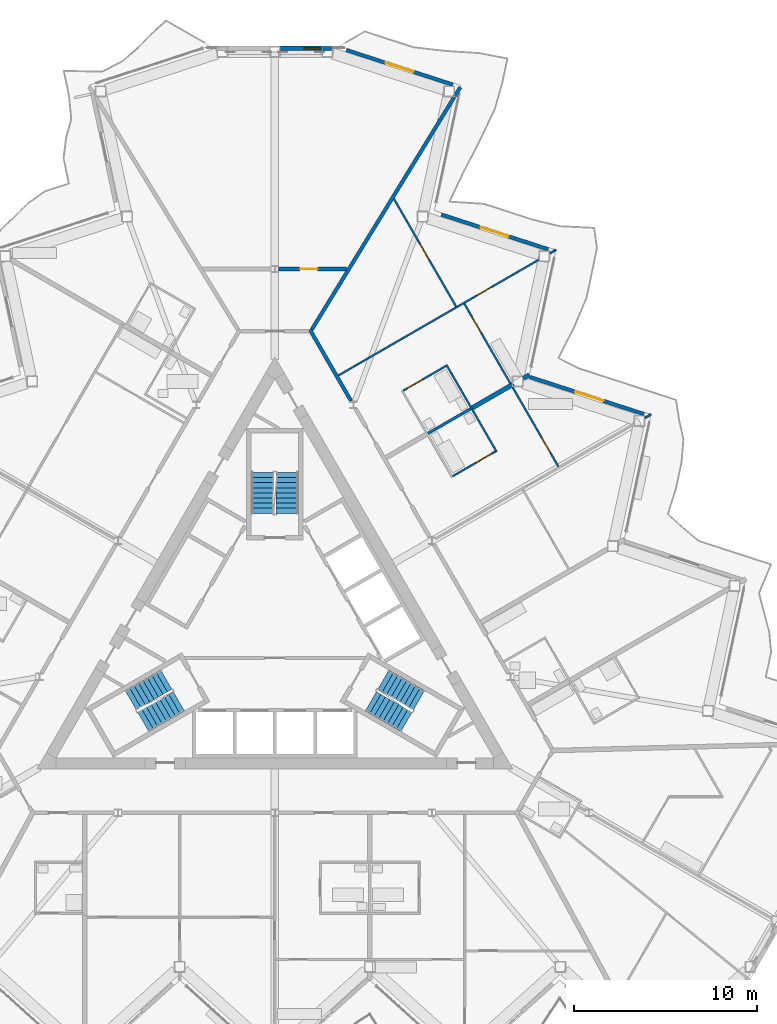
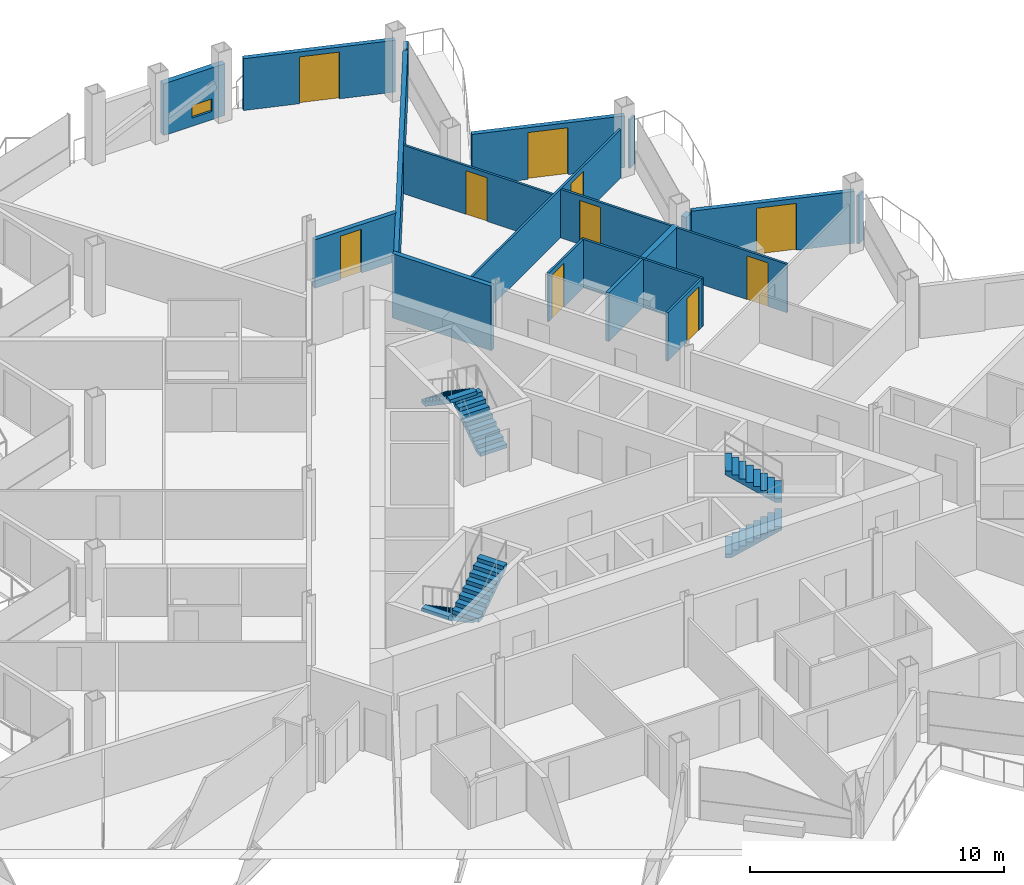
# One storey, part 19 of 28: 20 walls, 10 doors, 6 stair flights, 1 window, 11 openings, 3 elements without a shape of their own.
"""IFC4 building model written with IfcOpenShell, lengths in metres."""

from ifc_helpers import new_model, si_unit, direction, frame, frame_2d, origin, place, context, subcontext, project, spatial, polyline, rectangle, outline, extrude, material, layer, layer_set, type_object, element, fill, aggregate, save


model = new_model("IFC4")

# Units and contexts
model_context = context("Model", 3, precision=1e-05, world=origin(), true_north=direction((0.0, 1.0)))
body_context = subcontext(model_context, "Body", "Model", "MODEL_VIEW")
ifc_project = project(units=[si_unit("LENGTHUNIT", "METRE"), si_unit("AREAUNIT", "SQUARE_METRE"), si_unit("VOLUMEUNIT", "CUBIC_METRE"), si_unit("PLANEANGLEUNIT", "RADIAN"), si_unit("MASSUNIT", "GRAM", prefix="KILO")], contexts=[model_context])

# Site, building, storey
site_placement = place(None, origin())
site = spatial("IfcSite", under=ifc_project, at=site_placement, CompositionType="ELEMENT")
building_placement = place(site_placement, origin())
building = spatial("IfcBuilding", under=site, at=building_placement, Name="Cormorant Prow Tower", CompositionType="ELEMENT")
storey_placement = place(building_placement, frame((0.0, 0.0, 301.800048828125)))
storey = spatial("IfcBuildingStorey", under=building, at=storey_placement, Name="L65", CompositionType="ELEMENT", Elevation=301.800048828125)

# Walls
ifc_material_1 = material(Name="Gypsum board corridor wall")
ifc_layer_1 = layer(ifc_material_1, 0.199951171875)
ifc_layer_set_1 = layer_set([ifc_layer_1], Name="Gypsum board corridor wall")
wall_type_1 = type_object("IfcWallType", Name="Corridor wall 200", PredefinedType="PARTITIONING", material=ifc_layer_set_1)
wall_1_placement = place(storey_placement, frame((1.9130859375, 16.497802734375, 0.0), z_axis=(0.0, 0.0, 1.0), x_axis=(0.499950370306, -0.866054055606, 0.0)))
element("IfcWall", 1, at=wall_1_placement, inside=storey, type_object=wall_type_1, Name="Corridor wall", PredefinedType="PARTITIONING", context=body_context, shape_type="SweptSolid", body=[
    extrude(rectangle(XDim=4.5126953125, YDim=0.199951171875, at=frame_2d((2.25634765625, 0.0))), origin(), (0.0, 0.0, 1.0), 3.099853515625),
])
ifc_material_2 = material(Name="Gypsum board demising wall")
ifc_layer_2 = layer(ifc_material_2, 0.199951171875)
ifc_layer_set_2 = layer_set([ifc_layer_2], Name="Gypsum board demising wall")
wall_type_2 = type_object("IfcWallType", Name="Demising wall 200", PredefinedType="PARTITIONING", material=ifc_layer_set_2)
wall_2_placement = place(storey_placement, frame((2.015380859375, 16.496337890625, 0.0), z_axis=(0.0, 0.0, 1.0), x_axis=(0.522487920222, 0.852646687217, 0.0)))
element("IfcWall", 2, at=wall_2_placement, inside=storey, type_object=wall_type_2, Name="Demising wall", PredefinedType="PARTITIONING", context=body_context, shape_type="SweptSolid", body=[
    extrude(rectangle(XDim=14.90380859375, YDim=0.199951171875, at=frame_2d((7.451904296875, 0.0))), origin(), (0.0, 0.0, 1.0), 2.330078125),
])

# Wall, opening, door
wall_3_placement = place(storey_placement, frame((0.207763671875, 19.81103515625, 0.0), z_axis=(0.0, 0.0, 1.0), x_axis=(1.0, 0.0, 0.0)))
wall_3 = element("IfcWall", 3, at=wall_3_placement, inside=storey, type_object=wall_type_2, Name="Demising wall", PredefinedType="PARTITIONING", context=body_context, shape_type="SweptSolid", body=[
    extrude(rectangle(XDim=3.71826171875, YDim=0.199951171875, at=frame_2d((1.859130859375, 0.0))), origin(), (0.0, 0.0, 1.0), 2.330078125),
])
opening_1_placement = place(wall_3_placement, frame((1.177978515625, 0.0, 0.0)))
opening_1 = element("IfcOpeningElement", 4, at=opening_1_placement, cuts=wall_3, Name="Opening L65-F37", PredefinedType="OPENING", context=body_context, shape_type="SweptSolid", body=[
    extrude(rectangle(XDim=0.949951171875, YDim=2.10009765625, at=frame_2d((0.47509765625, 1.050048828125))), frame((0.0, 0.10986328125, 0.0), z_axis=(0.0, -1.0, 0.0), x_axis=(1.0, 0.0, 0.0)), (0.0, 0.0, 1.0), 0.219970703125),
])
ifc_material_3 = material(Name="Timber door leaf", Category="wood")
door_type_1 = type_object("IfcDoorType", Name="Store door 950x2100", OperationType="NOTDEFINED", PredefinedType="DOOR", material=ifc_material_3)
door_1_placement = place(opening_1_placement, origin())
door_1 = element("IfcDoor", 5, at=door_1_placement, inside=storey, type_object=door_type_1, Name="Refuse room door", OperationType="SINGLE_SWING_LEFT", OverallHeight=2.10009765625, OverallWidth=0.949951171875, PredefinedType="DOOR", context=body_context, shape_type="SweptSolid", body=[
    extrude(rectangle(XDim=0.949951171875, YDim=2.10009765625, at=frame_2d((0.47509765625, 1.050048828125))), frame((0.0, 0.02490234375, 0.0), z_axis=(0.0, -1.0, 0.0), x_axis=(1.0, 0.0, 0.0)), (0.0, 0.0, 1.0), 0.050048828125),
])
fill(opening_1, door_1)

# Wall
wall_4_placement = place(storey_placement, frame((9.83740234375, 29.261474609375, 0.0), z_axis=(0.0, 0.0, 1.0), x_axis=(0.5225115935, 0.852632180168, 0.0)))
element("IfcWall", 6, at=wall_4_placement, inside=storey, type_object=wall_type_2, Name="Demising wall", PredefinedType="PARTITIONING", context=body_context, shape_type="SweptSolid", body=[
    extrude(rectangle(XDim=0.567138671875, YDim=0.199951171875, at=frame_2d((0.28369140625, 0.0))), origin(), (0.0, 0.0, 1.0), 2.330078125),
])

# Wall, opening, door
ifc_material_4 = material(Name="Gypsum board partition")
ifc_layer_3 = layer(ifc_material_4, 0.10009765625)
ifc_layer_set_3 = layer_set([ifc_layer_3], Name="Gypsum board partition")
wall_type_3 = type_object("IfcWallType", Name="Internal partition 100", PredefinedType="PARTITIONING", material=ifc_layer_set_3)
wall_5_placement = place(storey_placement, frame((3.47412109375, 13.993896484375, 0.0), z_axis=(0.0, 0.0, 1.0), x_axis=(0.866032424046, 0.499987840353, 0.0)))
wall_5 = element("IfcWall", 7, at=wall_5_placement, inside=storey, type_object=wall_type_3, Name="Internal partition", PredefinedType="PARTITIONING", context=body_context, shape_type="SweptSolid", body=[
    extrude(rectangle(XDim=12.635009765625, YDim=0.10009765625, at=frame_2d((6.3173828125, 0.0))), origin(), (0.0, 0.0, 1.0), 2.330078125),
])
opening_2_placement = place(wall_5_placement, frame((8.71435546875, 0.0, 0.0)))
opening_2 = element("IfcOpeningElement", 8, at=opening_2_placement, cuts=wall_5, Name="Opening L65-F34", PredefinedType="OPENING", context=body_context, shape_type="SweptSolid", body=[
    extrude(rectangle(XDim=0.949951171875, YDim=2.10009765625, at=frame_2d((0.47509765625, 1.050048828125))), frame((0.0, 0.06005859375, 0.0), z_axis=(0.0, -1.0, 0.0), x_axis=(1.0, 0.0, 0.0)), (0.0, 0.0, 1.0), 0.1201171875),
])
ifc_material_5 = material(Name="Timber door leaf", Category="wood")
door_type_2 = type_object("IfcDoorType", Name="Bathroom door 950x2100", OperationType="NOTDEFINED", PredefinedType="DOOR", material=ifc_material_5)
door_2_placement = place(opening_2_placement, origin())
door_2 = element("IfcDoor", 9, at=door_2_placement, inside=storey, type_object=door_type_2, Name="Kitchen door", OperationType="SINGLE_SWING_LEFT", OverallHeight=2.10009765625, OverallWidth=0.949951171875, PredefinedType="DOOR", context=body_context, shape_type="SweptSolid", body=[
    extrude(rectangle(XDim=0.949951171875, YDim=2.10009765625, at=frame_2d((0.47509765625, 1.050048828125))), frame((0.0, 0.02490234375, 0.0), z_axis=(0.0, -1.0, 0.0), x_axis=(1.0, 0.0, 0.0)), (0.0, 0.0, 1.0), 0.050048828125),
])
fill(opening_2, door_2)

wall_6_placement = place(storey_placement, frame((6.5029296875, 23.651611328125, 0.0), z_axis=(0.0, 0.0, 1.0), x_axis=(0.50002393615, -0.866011583801, 0.0)))
wall_6 = element("IfcWall", 10, at=wall_6_placement, inside=storey, type_object=wall_type_3, Name="Internal partition", PredefinedType="PARTITIONING", context=body_context, shape_type="SweptSolid", body=[
    extrude(rectangle(XDim=6.799560546875, YDim=0.10009765625, at=frame_2d((3.39990234375, 0.0))), origin(), (0.0, 0.0, 1.0), 2.330078125),
])
opening_3_placement = place(wall_6_placement, frame((2.874267578125, 0.0, 0.0)))
opening_3 = element("IfcOpeningElement", 11, at=opening_3_placement, cuts=wall_6, Name="Opening L65-F35", PredefinedType="OPENING", context=body_context, shape_type="SweptSolid", body=[
    extrude(rectangle(XDim=0.949951171875, YDim=2.10009765625, at=frame_2d((0.47509765625, 1.050048828125))), frame((0.0, 0.06005859375, 0.0), z_axis=(0.0, -1.0, 0.0), x_axis=(1.0, 0.0, 0.0)), (0.0, 0.0, 1.0), 0.1201171875),
])
door_3_placement = place(opening_3_placement, origin())
door_3 = element("IfcDoor", 12, at=door_3_placement, inside=storey, type_object=door_type_2, Name="Bedroom door", OperationType="SINGLE_SWING_LEFT", OverallHeight=2.10009765625, OverallWidth=0.949951171875, PredefinedType="DOOR", context=body_context, shape_type="SweptSolid", body=[
    extrude(rectangle(XDim=0.949951171875, YDim=2.10009765625, at=frame_2d((0.47509765625, 1.050048828125))), frame((0.0, 0.02490234375, 0.0), z_axis=(0.0, -1.0, 0.0), x_axis=(1.0, 0.0, 0.0)), (0.0, 0.0, 1.0), 0.050048828125),
])
fill(opening_3, door_3)

# Wall
wall_7_placement = place(storey_placement, frame((9.37109375, 14.579833984375, 0.0), z_axis=(0.0, 0.0, 1.0), x_axis=(0.499996545922, -0.866027397988, 0.0)))
element("IfcWall", 13, at=wall_7_placement, inside=storey, type_object=wall_type_3, Name="Internal partition", PredefinedType="PARTITIONING", context=body_context, shape_type="SweptSolid", body=[
    extrude(rectangle(XDim=5.5, YDim=0.10009765625, at=frame_2d((2.75, 0.0))), origin(), (0.0, 0.0, 1.0), 2.330078125),
])

# Wall, opening, door
wall_8_placement = place(storey_placement, frame((10.35693359375, 17.909912109375, 0.0), z_axis=(0.0, 0.0, 1.0), x_axis=(0.50000754391, -0.866021048262, 0.0)))
wall_8 = element("IfcWall", 14, at=wall_8_placement, inside=storey, type_object=wall_type_3, Name="Internal partition", PredefinedType="PARTITIONING", context=body_context, shape_type="SweptSolid", body=[
    extrude(rectangle(XDim=5.01611328125, YDim=0.10009765625, at=frame_2d((2.508056640625, 0.0))), origin(), (0.0, 0.0, 1.0), 2.330078125),
])
opening_4_placement = place(wall_8_placement, frame((0.861328125, 0.0, 0.0)))
opening_4 = element("IfcOpeningElement", 15, at=opening_4_placement, cuts=wall_8, Name="Opening L65-F33", PredefinedType="OPENING", context=body_context, shape_type="SweptSolid", body=[
    extrude(rectangle(XDim=0.949951171875, YDim=2.10009765625, at=frame_2d((0.47509765625, 1.050048828125))), frame((0.0, 0.06005859375, 0.0), z_axis=(0.0, -1.0, 0.0), x_axis=(1.0, 0.0, 0.0)), (0.0, 0.0, 1.0), 0.1201171875),
])
door_4_placement = place(opening_4_placement, origin())
door_4 = element("IfcDoor", 16, at=door_4_placement, inside=storey, type_object=door_type_2, Name="Living room door", OperationType="SINGLE_SWING_LEFT", OverallHeight=2.10009765625, OverallWidth=0.949951171875, PredefinedType="DOOR", context=body_context, shape_type="SweptSolid", body=[
    extrude(rectangle(XDim=0.949951171875, YDim=2.10009765625, at=frame_2d((0.47509765625, 1.050048828125))), frame((0.0, 0.02490234375, 0.0), z_axis=(0.0, -1.0, 0.0), x_axis=(1.0, 0.0, 0.0)), (0.0, 0.0, 1.0), 0.050048828125),
])
fill(opening_4, door_4)

wall_9_placement = place(storey_placement, frame((12.986083984375, 13.35595703125, 0.0), z_axis=(0.0, 0.0, 1.0), x_axis=(0.500007128048, -0.866021288365, 0.0)))
wall_9 = element("IfcWall", 17, at=wall_9_placement, inside=storey, type_object=wall_type_3, Name="Internal partition", PredefinedType="PARTITIONING", context=body_context, shape_type="SweptSolid", body=[
    extrude(rectangle(XDim=5.0234375, YDim=0.10009765625, at=frame_2d((2.51171875, 0.0))), origin(), (0.0, 0.0, 1.0), 2.330078125),
])
opening_5_placement = place(wall_9_placement, frame((3.2109375, 0.0, 0.0)))
opening_5 = element("IfcOpeningElement", 18, at=opening_5_placement, cuts=wall_9, Name="Opening L65-F28", PredefinedType="OPENING", context=body_context, shape_type="SweptSolid", body=[
    extrude(rectangle(XDim=0.949951171875, YDim=2.10009765625, at=frame_2d((0.47509765625, 1.050048828125))), frame((0.0, 0.06005859375, 0.0), z_axis=(0.0, -1.0, 0.0), x_axis=(1.0, 0.0, 0.0)), (0.0, 0.0, 1.0), 0.1201171875),
])
door_5_placement = place(opening_5_placement, origin())
door_5 = element("IfcDoor", 19, at=door_5_placement, inside=storey, type_object=door_type_2, Name="Living room door", OperationType="SINGLE_SWING_RIGHT", OverallHeight=2.10009765625, OverallWidth=0.949951171875, PredefinedType="DOOR", context=body_context, shape_type="SweptSolid", body=[
    extrude(rectangle(XDim=0.949951171875, YDim=2.10009765625, at=frame_2d((0.47509765625, 1.050048828125))), frame((0.0, 0.02490234375, 0.0), z_axis=(0.0, -1.0, 0.0), x_axis=(1.0, 0.0, 0.0)), (0.0, 0.0, 1.0), 0.050048828125),
])
fill(opening_5, door_5)

wall_10_placement = place(storey_placement, frame((7.0146484375, 13.16162109375, 0.0), z_axis=(0.0, 0.0, 1.0), x_axis=(0.866036505625, 0.499980770555, 0.0)))
wall_10 = element("IfcWall", 20, at=wall_10_placement, inside=storey, type_object=wall_type_3, Name="Internal partition", PredefinedType="PARTITIONING", context=body_context, shape_type="SweptSolid", body=[
    extrude(rectangle(XDim=2.69970703125, YDim=0.10009765625, at=frame_2d((1.349853515625, 0.0))), origin(), (0.0, 0.0, 1.0), 2.330078125),
])
opening_6_placement = place(wall_10_placement, frame((0.25, 0.0, 0.0)))
opening_6 = element("IfcOpeningElement", 21, at=opening_6_placement, cuts=wall_10, Name="Opening L65-F32", PredefinedType="OPENING", context=body_context, shape_type="SweptSolid", body=[
    extrude(rectangle(XDim=0.949951171875, YDim=2.10009765625, at=frame_2d((0.47509765625, 1.050048828125))), frame((0.0, 0.06005859375, 0.0), z_axis=(0.0, -1.0, 0.0), x_axis=(1.0, 0.0, 0.0)), (0.0, 0.0, 1.0), 0.1201171875),
])
door_6_placement = place(opening_6_placement, origin())
door_6 = element("IfcDoor", 22, at=door_6_placement, inside=storey, type_object=door_type_2, Name="Living room door", OperationType="SINGLE_SWING_LEFT", OverallHeight=2.10009765625, OverallWidth=0.949951171875, PredefinedType="DOOR", context=body_context, shape_type="SweptSolid", body=[
    extrude(rectangle(XDim=0.949951171875, YDim=2.10009765625, at=frame_2d((0.47509765625, 1.050048828125))), frame((0.0, 0.02490234375, 0.0), z_axis=(0.0, -1.0, 0.0), x_axis=(1.0, 0.0, 0.0)), (0.0, 0.0, 1.0), 0.050048828125),
])
fill(opening_6, door_6)

wall_11_placement = place(storey_placement, frame((9.714599609375, 8.485107421875, 0.0), z_axis=(0.0, 0.0, 1.0), x_axis=(0.866036505625, 0.499980770555, 0.0)))
wall_11 = element("IfcWall", 23, at=wall_11_placement, inside=storey, type_object=wall_type_3, Name="Internal partition", PredefinedType="PARTITIONING", context=body_context, shape_type="SweptSolid", body=[
    extrude(rectangle(XDim=2.69970703125, YDim=0.10009765625, at=frame_2d((1.349853515625, 0.0))), origin(), (0.0, 0.0, 1.0), 2.330078125),
])
opening_7_placement = place(wall_11_placement, frame((1.5, 0.0, 0.0)))
opening_7 = element("IfcOpeningElement", 24, at=opening_7_placement, cuts=wall_11, Name="Opening L65-F27", PredefinedType="OPENING", context=body_context, shape_type="SweptSolid", body=[
    extrude(rectangle(XDim=0.949951171875, YDim=2.10009765625, at=frame_2d((0.47509765625, 1.050048828125))), frame((0.0, 0.06005859375, 0.0), z_axis=(0.0, -1.0, 0.0), x_axis=(1.0, 0.0, 0.0)), (0.0, 0.0, 1.0), 0.1201171875),
])
door_7_placement = place(opening_7_placement, origin())
door_7 = element("IfcDoor", 25, at=door_7_placement, inside=storey, type_object=door_type_2, Name="Living room door", OperationType="SINGLE_SWING_RIGHT", OverallHeight=2.10009765625, OverallWidth=0.949951171875, PredefinedType="DOOR", context=body_context, shape_type="SweptSolid", body=[
    extrude(rectangle(XDim=0.949951171875, YDim=2.10009765625, at=frame_2d((0.47509765625, 1.050048828125))), frame((0.0, 0.02490234375, 0.0), z_axis=(0.0, -1.0, 0.0), x_axis=(1.0, 0.0, 0.0)), (0.0, 0.0, 1.0), 0.050048828125),
])
fill(opening_7, door_7)

# Walls
wall_12_placement = place(storey_placement, frame((15.03662109375, 20.669189453125, 0.0), z_axis=(0.0, 0.0, 1.0), x_axis=(0.865770353626, 0.500441499861, 0.0)))
element("IfcWall", 26, at=wall_12_placement, inside=storey, type_object=wall_type_3, Name="Internal partition", PredefinedType="PARTITIONING", context=body_context, shape_type="SweptSolid", body=[
    extrude(rectangle(XDim=0.372314453125, YDim=0.10009765625, at=frame_2d((0.18603515625, 0.0))), origin(), (0.0, 0.0, 1.0), 2.330078125),
])
wall_13_placement = place(storey_placement, frame((20.235595703125, 11.68310546875, 0.0), z_axis=(0.0, 0.0, 1.0), x_axis=(0.866039913117, 0.499974868256, 0.0)))
element("IfcWall", 27, at=wall_13_placement, inside=storey, type_object=wall_type_3, Name="Internal partition", PredefinedType="PARTITIONING", context=body_context, shape_type="SweptSolid", body=[
    extrude(rectangle(XDim=0.36279296875, YDim=0.10009765625, at=frame_2d((0.181396484375, 0.0))), origin(), (0.0, 0.0, 1.0), 2.330078125),
])
ifc_material_6 = material(Name="Acoustic gypsum party wall")
ifc_layer_4 = layer(ifc_material_6, 0.25)
ifc_layer_set_4 = layer_set([ifc_layer_4], Name="Acoustic gypsum party wall")
wall_type_4 = type_object("IfcWallType", Name="Suite party wall 250", PredefinedType="PARTITIONING", material=ifc_layer_set_4)
wall_14_placement = place(storey_placement, frame((10.789306640625, 12.223388671875, 0.0), z_axis=(0.0, 0.0, 1.0), x_axis=(0.866033547976, 0.499985893582, 0.0)))
element("IfcWall", 28, at=wall_14_placement, inside=storey, type_object=wall_type_4, Name="Suite party wall", PredefinedType="PARTITIONING", context=body_context, shape_type="SweptSolid", body=[
    extrude(rectangle(XDim=2.59375, YDim=0.25, at=frame_2d((1.296875, 0.0))), origin(), (0.0, 0.0, 1.0), 2.330078125),
])
wall_15_placement = place(storey_placement, frame((13.58203125, 13.83544921875, 0.0), z_axis=(0.0, 0.0, 1.0), x_axis=(0.865827443207, 0.500342721131, 0.0)))
element("IfcWall", 29, at=wall_15_placement, inside=storey, type_object=wall_type_4, Name="Suite party wall", PredefinedType="PARTITIONING", context=body_context, shape_type="SweptSolid", body=[
    extrude(rectangle(XDim=0.374755859375, YDim=0.25, at=frame_2d((0.1875, 0.0))), origin(), (0.0, 0.0, 1.0), 2.330078125),
])

# Wall, opening, window
ifc_material_7 = material(Name="Terracotta", Category="masonry")
ifc_layer_5 = layer(ifc_material_7, 0.25)
ifc_layer_set_5 = layer_set([ifc_layer_5], Name="Terracotta")
wall_type_5 = type_object("IfcWallType", Name="Terracotta bay wall 250", PredefinedType="SOLIDWALL", material=ifc_layer_set_5)
wall_16_placement = place(storey_placement, frame((3.0908203125, 31.8798828125, 0.0), z_axis=(0.0, 0.0, 1.0), x_axis=(-1.0, 0.0, 0.0)))
wall_16 = element("IfcWall", 30, at=wall_16_placement, inside=storey, type_object=wall_type_5, Name="Terracotta bay wall N00", PredefinedType="SOLIDWALL", context=body_context, shape_type="SweptSolid", body=[
    extrude(rectangle(XDim=2.790771484375, YDim=0.25, at=frame_2d((1.3955078125, 0.0))), origin(), (0.0, 0.0, 1.0), 2.48779296875),
])
opening_8_placement = place(wall_16_placement, frame((0.60009765625, 0.0, 0.39990234375)))
opening_8 = element("IfcOpeningElement", 31, at=opening_8_placement, cuts=wall_16, Name="Opening WN7", PredefinedType="OPENING", context=body_context, shape_type="SweptSolid", body=[
    extrude(rectangle(XDim=0.89990234375, YDim=0.60009765625, at=frame_2d((0.449951171875, 0.300048828125))), frame((0.0, 0.135009765625, 0.0), z_axis=(0.0, -1.0, 0.0), x_axis=(1.0, 0.0, 0.0)), (0.0, 0.0, 1.0), 0.27001953125),
])
ifc_material_8 = material(Name="Aluminium 6063-T6", Category="aluminium")
window_type = type_object("IfcWindowType", Name="Corner bay window 900x600", PartitioningType="SINGLE_PANEL", PredefinedType="WINDOW", material=ifc_material_8)
window_placement = place(opening_8_placement, origin())
window = element("IfcWindow", 32, at=window_placement, inside=storey, type_object=window_type, Name="Corner bay window N00", OverallHeight=0.60009765625, OverallWidth=0.89990234375, PartitioningType="SINGLE_PANEL", PredefinedType="WINDOW", context=body_context, shape_type="SweptSolid", body=[
    extrude(rectangle(XDim=0.89990234375, YDim=0.60009765625, at=frame_2d((0.449951171875, 0.300048828125))), frame((0.0, 0.030029296875, 0.0), z_axis=(0.0, -1.0, 0.0), x_axis=(1.0, 0.0, 0.0)), (0.0, 0.0, 1.0), 0.06005859375),
])
fill(opening_8, window)

# Wall, opening, door
ifc_material_9 = material(Name="Terracotta", Category="masonry")
ifc_layer_6 = layer(ifc_material_9, 0.199951171875)
ifc_layer_set_6 = layer_set([ifc_layer_6], Name="Terracotta")
wall_type_6 = type_object("IfcWallType", Name="Terracotta jamb wall 200", PredefinedType="SOLIDWALL", material=ifc_layer_set_6)
wall_17_placement = place(storey_placement, frame((20.177978515625, 11.880126953125, 0.0), z_axis=(0.0, 0.0, 1.0), x_axis=(-0.951053245104, 0.309027061884, 0.0)))
wall_17 = element("IfcWall", 33, at=wall_17_placement, inside=storey, type_object=wall_type_6, Name="Terracotta jamb wall ENE05", PredefinedType="SOLIDWALL", context=body_context, shape_type="SweptSolid", body=[
    extrude(rectangle(XDim=6.548583984375, YDim=0.199951171875, at=frame_2d((3.2744140625, 0.0))), origin(), (0.0, 0.0, 1.0), 2.48779296875),
])
opening_9_placement = place(wall_17_placement, frame((2.333984375, 0.0, 0.0)))
opening_9 = element("IfcOpeningElement", 34, at=opening_9_placement, cuts=wall_17, Name="Opening ED65.08", PredefinedType="OPENING", context=body_context, shape_type="SweptSolid", body=[
    extrude(rectangle(XDim=1.60009765625, YDim=2.25, at=frame_2d((0.800048828125, 1.125))), frame((0.0, 0.10986328125, 0.0), z_axis=(0.0, -1.0, 0.0), x_axis=(1.0, 0.0, 0.0)), (0.0, 0.0, 1.0), 0.219970703125),
])
ifc_material_10 = material(Name="Aluminium 6063-T6", Category="aluminium")
door_type_3 = type_object("IfcDoorType", Name="Balcony door 1600x2250", OperationType="DOUBLE_DOOR_SINGLE_SWING", PredefinedType="DOOR", material=ifc_material_10)
door_8_placement = place(opening_9_placement, origin())
door_8 = element("IfcDoor", 35, at=door_8_placement, inside=storey, type_object=door_type_3, Name="Balcony door ENE05 ED65.08", OperationType="DOUBLE_DOOR_SINGLE_SWING", OverallHeight=2.25, OverallWidth=1.60009765625, PredefinedType="DOOR", context=body_context, shape_type="SweptSolid", body=[
    extrude(rectangle(XDim=1.60009765625, YDim=2.25, at=frame_2d((0.800048828125, 1.125))), frame((0.0, 0.02490234375, 0.0), z_axis=(0.0, -1.0, 0.0), x_axis=(1.0, 0.0, 0.0)), (0.0, 0.0, 1.0), 0.050048828125),
])
fill(opening_9, door_8)

wall_18_placement = place(storey_placement, frame((14.943603515625, 20.88525390625, 0.0), z_axis=(0.0, 0.0, 1.0), x_axis=(-0.951062668065, 0.308998060534, 0.0)))
wall_18 = element("IfcWall", 36, at=wall_18_placement, inside=storey, type_object=wall_type_6, Name="Terracotta jamb wall ENE07", PredefinedType="SOLIDWALL", context=body_context, shape_type="SweptSolid", body=[
    extrude(rectangle(XDim=6.14697265625, YDim=0.199951171875, at=frame_2d((3.073486328125, 0.0))), origin(), (0.0, 0.0, 1.0), 2.48779296875),
])
opening_10_placement = place(wall_18_placement, frame((2.288330078125, 0.0, 0.0)))
opening_10 = element("IfcOpeningElement", 37, at=opening_10_placement, cuts=wall_18, Name="Opening ED65.09", PredefinedType="OPENING", context=body_context, shape_type="SweptSolid", body=[
    extrude(rectangle(XDim=1.60009765625, YDim=2.25, at=frame_2d((0.800048828125, 1.125))), frame((0.0, 0.10986328125, 0.0), z_axis=(0.0, -1.0, 0.0), x_axis=(1.0, 0.0, 0.0)), (0.0, 0.0, 1.0), 0.219970703125),
])
door_9_placement = place(opening_10_placement, origin())
door_9 = element("IfcDoor", 38, at=door_9_placement, inside=storey, type_object=door_type_3, Name="Balcony door ENE07 ED65.09", OperationType="DOUBLE_DOOR_SINGLE_SWING", OverallHeight=2.25, OverallWidth=1.60009765625, PredefinedType="DOOR", context=body_context, shape_type="SweptSolid", body=[
    extrude(rectangle(XDim=1.60009765625, YDim=2.25, at=frame_2d((0.800048828125, 1.125))), frame((0.0, 0.02490234375, 0.0), z_axis=(0.0, -1.0, 0.0), x_axis=(1.0, 0.0, 0.0)), (0.0, 0.0, 1.0), 0.050048828125),
])
fill(opening_10, door_9)

wall_19_placement = place(storey_placement, frame((9.724365234375, 29.885498046875, 0.0), z_axis=(0.0, 0.0, 1.0), x_axis=(-0.951066325824, 0.30898680212, 0.0)))
wall_19 = element("IfcWall", 39, at=wall_19_placement, inside=storey, type_object=wall_type_6, Name="Terracotta jamb wall ENE09", PredefinedType="SOLIDWALL", context=body_context, shape_type="SweptSolid", body=[
    extrude(rectangle(XDim=6.1171875, YDim=0.199951171875, at=frame_2d((3.05859375, 0.0))), origin(), (0.0, 0.0, 1.0), 2.48779296875),
])
opening_11_placement = place(wall_19_placement, frame((2.258544921875, 0.0, 0.0)))
opening_11 = element("IfcOpeningElement", 40, at=opening_11_placement, cuts=wall_19, Name="Opening ED65.10", PredefinedType="OPENING", context=body_context, shape_type="SweptSolid", body=[
    extrude(rectangle(XDim=1.60009765625, YDim=2.25, at=frame_2d((0.800048828125, 1.125))), frame((0.0, 0.10986328125, 0.0), z_axis=(0.0, -1.0, 0.0), x_axis=(1.0, 0.0, 0.0)), (0.0, 0.0, 1.0), 0.219970703125),
])
door_10_placement = place(opening_11_placement, origin())
door_10 = element("IfcDoor", 41, at=door_10_placement, inside=storey, type_object=door_type_3, Name="Balcony door ENE09 ED65.10", OperationType="DOUBLE_DOOR_SINGLE_SWING", OverallHeight=2.25, OverallWidth=1.60009765625, PredefinedType="DOOR", context=body_context, shape_type="SweptSolid", body=[
    extrude(rectangle(XDim=1.60009765625, YDim=2.25, at=frame_2d((0.800048828125, 1.125))), frame((0.0, 0.02490234375, 0.0), z_axis=(0.0, -1.0, 0.0), x_axis=(1.0, 0.0, 0.0)), (0.0, 0.0, 1.0), 0.050048828125),
])
fill(opening_11, door_10)

# Wall
ifc_material_11 = material(Name="Plasterboard wet wall with pipe chase")
ifc_layer_7 = layer(ifc_material_11, 0.14990234375)
ifc_layer_set_7 = layer_set([ifc_layer_7], Name="Plasterboard wet wall with pipe chase")
wall_type_7 = type_object("IfcWallType", Name="Wet wall 150", PredefinedType="PLUMBINGWALL", material=ifc_layer_set_7)
wall_20_placement = place(storey_placement, frame((8.364501953125, 10.8232421875, 0.0), z_axis=(0.0, 0.0, 1.0), x_axis=(0.866019956843, 0.50000943426, 0.0)))
element("IfcWall", 42, at=wall_20_placement, inside=storey, type_object=wall_type_7, Name="Wet wall", PredefinedType="PLUMBINGWALL", context=body_context, shape_type="SweptSolid", body=[
    extrude(rectangle(XDim=2.7001953125, YDim=0.14990234375, at=frame_2d((1.35009765625, 0.0))), origin(), (0.0, 0.0, 1.0), 2.330078125),
])

# Stair, stair flights
ifc_material_12 = material(Name="Exit stair 18 risers")
stair_type = type_object("IfcStairType", Name="Exit stair 18 risers", PredefinedType="HALF_TURN_STAIR", material=ifc_material_12)
stair_1_placement = place(storey_placement, origin())
stair_1 = element("IfcStair", 43, at=stair_1_placement, inside=storey, type_object=stair_type, Name="L65 Exit stair ST1", PredefinedType="HALF_TURN_STAIR")
ifc_material_13 = material(Name="Concrete 5000 psi", Category="concrete")
stair_flight_type = type_object("IfcStairFlightType", Name="Stair flight 1219", PredefinedType="STRAIGHT", material=ifc_material_13)
stair_flight_1_placement = place(storey_placement, frame((-5.93310546875, -2.635009765625, 0.0), z_axis=(0.0, 0.0, 1.0), x_axis=(-0.866025403784, -0.5, 0.0)))
stair_flight_1 = element("IfcStairFlight", 44, at=stair_flight_1_placement, type_object=stair_flight_type, Name="ST1 flight 1", NumberOfRisers=9, NumberOfTreads=8, PredefinedType="STRAIGHT", RiserHeight=0.188888889, TreadLength=0.28, context=body_context, shape_type="SweptSolid", body=[
    extrude(outline(polyline([(0.0, 0.0), (0.0, 0.18896484375), (0.280029296875, 0.18896484375), (0.280029296875, 0.377685546875), (0.56005859375, 0.377685546875), (0.56005859375, 0.566650390625), (0.840087890625, 0.566650390625), (0.840087890625, 0.755615234375), (1.1201171875, 0.755615234375), (1.1201171875, 0.9443359375), (1.39990234375, 0.9443359375), (1.39990234375, 1.13330078125), (1.679931640625, 1.13330078125), (1.679931640625, 1.322265625), (1.9599609375, 1.322265625), (1.9599609375, 1.51123046875), (2.239990234375, 1.51123046875), (2.239990234375, 1.699951171875), (2.239990234375, 1.330322265625), (0.26806640625, 0.0), (0.0, 0.0)])), frame((0.0, 0.609375, 0.0), z_axis=(0.0, -1.0, 0.0), x_axis=(1.0, 0.0, 0.0)), (0.0, 0.0, 1.0), 1.218994140625),
])
stair_flight_2_placement = place(storey_placement, frame((-7.1884765625, -4.940673828125, 1.699951171875), z_axis=(0.0, 0.0, 1.0), x_axis=(0.866025403784, 0.5, 0.0)))
stair_flight_2 = element("IfcStairFlight", 45, at=stair_flight_2_placement, type_object=stair_flight_type, Name="ST1 flight 2", NumberOfRisers=9, NumberOfTreads=8, PredefinedType="STRAIGHT", RiserHeight=0.188888889, TreadLength=0.28, context=body_context, shape_type="SweptSolid", body=[
    extrude(outline(polyline([(0.0, 0.0), (0.0, 0.18896484375), (0.280029296875, 0.18896484375), (0.280029296875, 0.377685546875), (0.56005859375, 0.377685546875), (0.56005859375, 0.566650390625), (0.840087890625, 0.566650390625), (0.840087890625, 0.755615234375), (1.1201171875, 0.755615234375), (1.1201171875, 0.9443359375), (1.39990234375, 0.9443359375), (1.39990234375, 1.13330078125), (1.679931640625, 1.13330078125), (1.679931640625, 1.322265625), (1.9599609375, 1.322265625), (1.9599609375, 1.51123046875), (2.239990234375, 1.51123046875), (2.239990234375, 1.699951171875), (2.239990234375, 1.330322265625), (0.26806640625, 0.0), (0.0, 0.0)])), frame((0.0, 0.609375, 0.0), z_axis=(0.0, -1.0, 0.0), x_axis=(1.0, 0.0, 0.0)), (0.0, 0.0, 1.0), 1.218994140625),
])
aggregate(stair_1, [stair_flight_1, stair_flight_2])

stair_2_placement = place(storey_placement, origin())
stair_2 = element("IfcStair", 46, at=stair_2_placement, inside=storey, type_object=stair_type, Name="L65 Exit stair ST2", PredefinedType="HALF_TURN_STAIR")
stair_flight_3_placement = place(storey_placement, frame((5.24853515625, -3.82080078125, 0.0), z_axis=(0.0, 0.0, 1.0), x_axis=(0.866025403784, -0.5, 0.0)))
stair_flight_3 = element("IfcStairFlight", 47, at=stair_flight_3_placement, type_object=stair_flight_type, Name="ST2 flight 1", NumberOfRisers=9, NumberOfTreads=8, PredefinedType="STRAIGHT", RiserHeight=0.188888889, TreadLength=0.28, context=body_context, shape_type="SweptSolid", body=[
    extrude(outline(polyline([(0.0, 0.0), (0.0, 0.18896484375), (0.280029296875, 0.18896484375), (0.280029296875, 0.377685546875), (0.56005859375, 0.377685546875), (0.56005859375, 0.566650390625), (0.840087890625, 0.566650390625), (0.840087890625, 0.755615234375), (1.1201171875, 0.755615234375), (1.1201171875, 0.9443359375), (1.39990234375, 0.9443359375), (1.39990234375, 1.13330078125), (1.679931640625, 1.13330078125), (1.679931640625, 1.322265625), (1.9599609375, 1.322265625), (1.9599609375, 1.51123046875), (2.239990234375, 1.51123046875), (2.239990234375, 1.699951171875), (2.239990234375, 1.330322265625), (0.26806640625, 0.0), (0.0, 0.0)])), frame((0.0, 0.609375, 0.0), z_axis=(0.0, -1.0, 0.0), x_axis=(1.0, 0.0, 0.0)), (0.0, 0.0, 1.0), 1.218994140625),
])
stair_flight_4_placement = place(storey_placement, frame((7.873046875, -3.755126953125, 1.699951171875), z_axis=(0.0, 0.0, 1.0), x_axis=(-0.866025403784, 0.5, 0.0)))
stair_flight_4 = element("IfcStairFlight", 48, at=stair_flight_4_placement, type_object=stair_flight_type, Name="ST2 flight 2", NumberOfRisers=9, NumberOfTreads=8, PredefinedType="STRAIGHT", RiserHeight=0.188888889, TreadLength=0.28, context=body_context, shape_type="SweptSolid", body=[
    extrude(outline(polyline([(0.0, 0.0), (0.0, 0.18896484375), (0.280029296875, 0.18896484375), (0.280029296875, 0.377685546875), (0.56005859375, 0.377685546875), (0.56005859375, 0.566650390625), (0.840087890625, 0.566650390625), (0.840087890625, 0.755615234375), (1.1201171875, 0.755615234375), (1.1201171875, 0.9443359375), (1.39990234375, 0.9443359375), (1.39990234375, 1.13330078125), (1.679931640625, 1.13330078125), (1.679931640625, 1.322265625), (1.9599609375, 1.322265625), (1.9599609375, 1.51123046875), (2.239990234375, 1.51123046875), (2.239990234375, 1.699951171875), (2.239990234375, 1.330322265625), (0.26806640625, 0.0), (0.0, 0.0)])), frame((0.0, 0.609375, 0.0), z_axis=(0.0, -1.0, 0.0), x_axis=(1.0, 0.0, 0.0)), (0.0, 0.0, 1.0), 1.218994140625),
])
aggregate(stair_2, [stair_flight_3, stair_flight_4])

stair_3_placement = place(storey_placement, origin())
stair_3 = element("IfcStair", 49, at=stair_3_placement, inside=storey, type_object=stair_type, Name="L65 Exit stair ST3", PredefinedType="HALF_TURN_STAIR")
stair_flight_5_placement = place(storey_placement, frame((0.6845703125, 6.455810546875, 0.0), z_axis=(0.0, 0.0, 1.0), x_axis=(0.0, 1.0, 0.0)))
stair_flight_5 = element("IfcStairFlight", 50, at=stair_flight_5_placement, type_object=stair_flight_type, Name="ST3 flight 1", NumberOfRisers=9, NumberOfTreads=8, PredefinedType="STRAIGHT", RiserHeight=0.188888889, TreadLength=0.28, context=body_context, shape_type="SweptSolid", body=[
    extrude(outline(polyline([(0.0, 0.0), (0.0, 0.18896484375), (0.280029296875, 0.18896484375), (0.280029296875, 0.377685546875), (0.56005859375, 0.377685546875), (0.56005859375, 0.566650390625), (0.840087890625, 0.566650390625), (0.840087890625, 0.755615234375), (1.1201171875, 0.755615234375), (1.1201171875, 0.9443359375), (1.39990234375, 0.9443359375), (1.39990234375, 1.13330078125), (1.679931640625, 1.13330078125), (1.679931640625, 1.322265625), (1.9599609375, 1.322265625), (1.9599609375, 1.51123046875), (2.239990234375, 1.51123046875), (2.239990234375, 1.699951171875), (2.239990234375, 1.330322265625), (0.26806640625, 0.0), (0.0, 0.0)])), frame((0.0, 0.609375, 0.0), z_axis=(0.0, -1.0, 0.0), x_axis=(1.0, 0.0, 0.0)), (0.0, 0.0, 1.0), 1.218994140625),
])
stair_flight_6_placement = place(storey_placement, frame((-0.6845703125, 8.69580078125, 1.699951171875), z_axis=(0.0, 0.0, 1.0), x_axis=(0.0, -1.0, 0.0)))
stair_flight_6 = element("IfcStairFlight", 51, at=stair_flight_6_placement, type_object=stair_flight_type, Name="ST3 flight 2", NumberOfRisers=9, NumberOfTreads=8, PredefinedType="STRAIGHT", RiserHeight=0.188888889, TreadLength=0.28, context=body_context, shape_type="SweptSolid", body=[
    extrude(outline(polyline([(0.0, 0.0), (0.0, 0.18896484375), (0.280029296875, 0.18896484375), (0.280029296875, 0.377685546875), (0.56005859375, 0.377685546875), (0.56005859375, 0.566650390625), (0.840087890625, 0.566650390625), (0.840087890625, 0.755615234375), (1.1201171875, 0.755615234375), (1.1201171875, 0.9443359375), (1.39990234375, 0.9443359375), (1.39990234375, 1.13330078125), (1.679931640625, 1.13330078125), (1.679931640625, 1.322265625), (1.9599609375, 1.322265625), (1.9599609375, 1.51123046875), (2.239990234375, 1.51123046875), (2.239990234375, 1.699951171875), (2.239990234375, 1.330322265625), (0.26806640625, 0.0), (0.0, 0.0)])), frame((0.0, 0.609375, 0.0), z_axis=(0.0, -1.0, 0.0), x_axis=(1.0, 0.0, 0.0)), (0.0, 0.0, 1.0), 1.218994140625),
])
aggregate(stair_3, [stair_flight_5, stair_flight_6])

save(model, "model.ifc")
